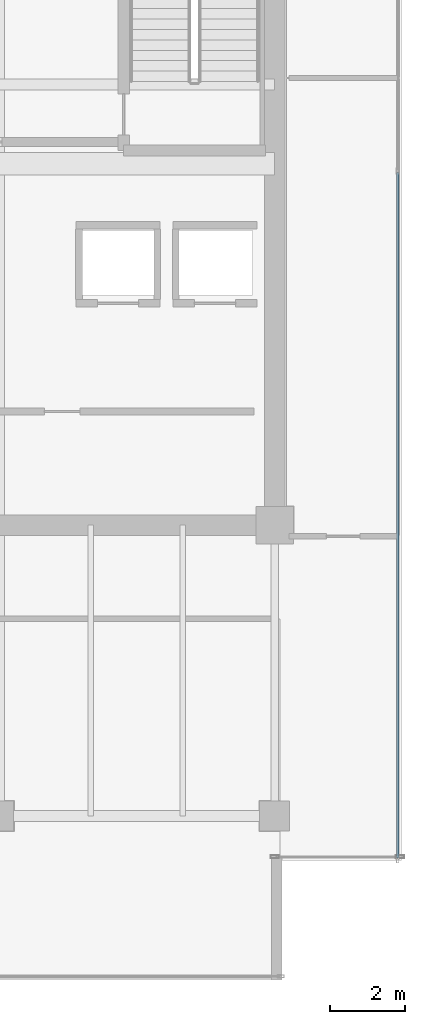
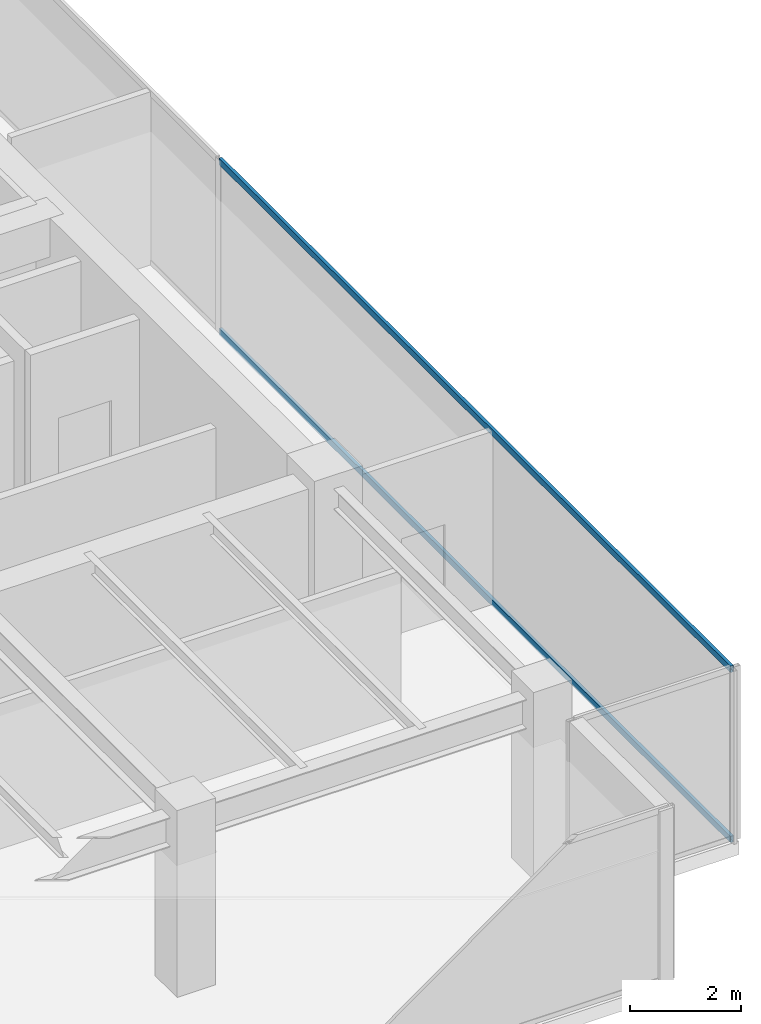
# One storey, part 23 of 35: 2 members, 1 element without a shape of its own.
"""IFC4 building model written with IfcOpenShell, lengths in metres."""

from ifc_helpers import new_model, si_unit, direction, frame, origin, origin_2d, place, context, subcontext, project, spatial, hollow_rectangle, extrude, source, transform, mapped, material, layer, layer_set, material_profile, profile_set, type_object, type_shapes, element, aggregate, save


model = new_model("IFC4")

# Units and contexts
model_context = context("Model", 3, precision=1e-05, world=origin(), true_north=direction((0.0, 1.0)))
body_context = subcontext(model_context, "Body", "Model", "MODEL_VIEW")
ifc_project = project(units=[si_unit("LENGTHUNIT", "METRE"), si_unit("AREAUNIT", "SQUARE_METRE"), si_unit("VOLUMEUNIT", "CUBIC_METRE"), si_unit("PLANEANGLEUNIT", "RADIAN"), si_unit("MASSUNIT", "GRAM", prefix="KILO")], contexts=[model_context])

# Site, building, storey
site_placement = place(None, origin())
site = spatial("IfcSite", under=ifc_project, at=site_placement, CompositionType="ELEMENT")
building_placement = place(site_placement, origin())
building = spatial("IfcBuilding", under=site, at=building_placement, Name="Haelvirn Gate Laboratories", CompositionType="ELEMENT")
storey_placement = place(building_placement, frame((0.0, 0.0, 234.199951171875)))
storey = spatial("IfcBuildingStorey", under=building, at=storey_placement, Name="L56", CompositionType="ELEMENT", Elevation=234.199951171875)

# Curtain wall, members
ifc_material_1 = material(Name="Anodised bronze unitised aluminium & triple low-E glass", Category="aluminium")
ifc_layer = layer(ifc_material_1, 0.176025390625, Name="CW-SYS-4")
ifc_layer_set = layer_set([ifc_layer], Name="Anodised bronze unitised aluminium & triple low-E glass")
curtain_wall_type = type_object("IfcCurtainWallType", Name="CW-SYS-4", PredefinedType="NOTDEFINED", material=ifc_layer_set)
curtain_wall_placement = place(storey_placement, origin())
curtain_wall = element("IfcCurtainWall", 1, at=curtain_wall_placement, inside=storey, type_object=curtain_wall_type, Name="L56 Unitised Curtain Wall CW-L56-P0-E07", PredefinedType="NOTDEFINED")
ifc_material_2 = material(Name="Extruded aluminium 6063-T6 (anodised bronze)", Category="aluminium")
ifc_material_profile = material_profile(ifc_material_2, hollow_rectangle(XDim=0.06494140625, YDim=0.139892578125, WallThickness=0.00390625, at=origin_2d()), Name="CWT-140x65x4")
ifc_profile_set = profile_set([ifc_material_profile], Name="Extruded aluminium 6063-T6 (anodised bronze)")
member_type = type_object("IfcMemberType", Name="CWT-T140", PredefinedType="USERDEFINED", material=ifc_profile_set)
shared_shape = source(origin(), body_context, "Body", "SweptSolid", [
    extrude(hollow_rectangle(XDim=0.06494140625, YDim=0.139892578125, WallThickness=0.00390625, at=origin_2d()), origin(), (0.0, 0.0, 1.0), 18.394775390625),
])
type_shapes(member_type, [shared_shape])
member_1_placement = place(storey_placement, frame((70.699951171875, 5.8701171875, 0.032470703125), z_axis=(0.0, 1.0, 0.0), x_axis=(-1.0, 0.0, 0.0)))
member_1 = element("IfcMember", 2, at=member_1_placement, type_object=member_type, Name="CW4 transom 1.1", ObjectType="TRANSOM", PredefinedType="USERDEFINED", context=body_context, shape_type="MappedRepresentation", body=[
    mapped(shared_shape, transform((0.0, 0.0, 0.0), scale=1.0)),
])
member_2_placement = place(storey_placement, frame((70.699951171875, 5.8701171875, 3.767578125), z_axis=(0.0, 1.0, 0.0), x_axis=(-1.0, 0.0, 0.0)))
member_2 = element("IfcMember", 3, at=member_2_placement, type_object=member_type, Name="CW4 transom 1.2", ObjectType="TRANSOM", PredefinedType="USERDEFINED", context=body_context, shape_type="MappedRepresentation", body=[
    mapped(shared_shape, transform((0.0, 0.0, 0.0), scale=1.0)),
])
aggregate(curtain_wall, [member_1, member_2])

save(model, "model.ifc")
